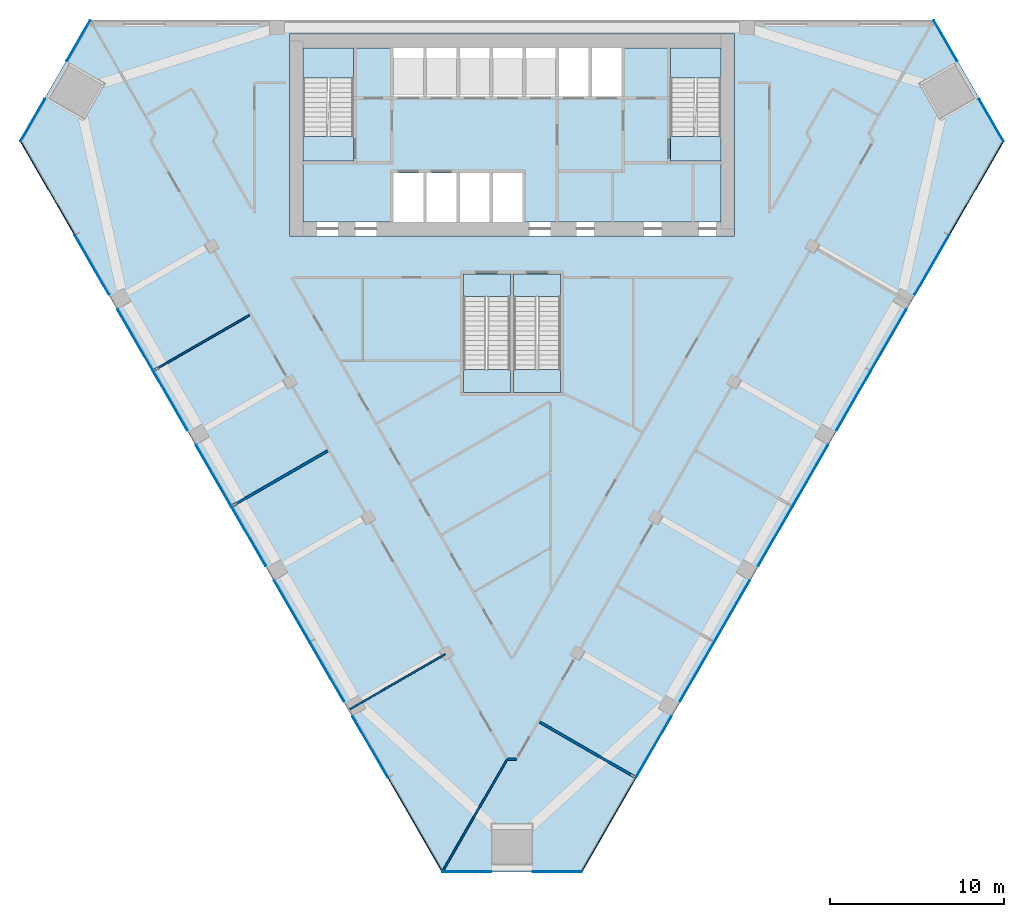
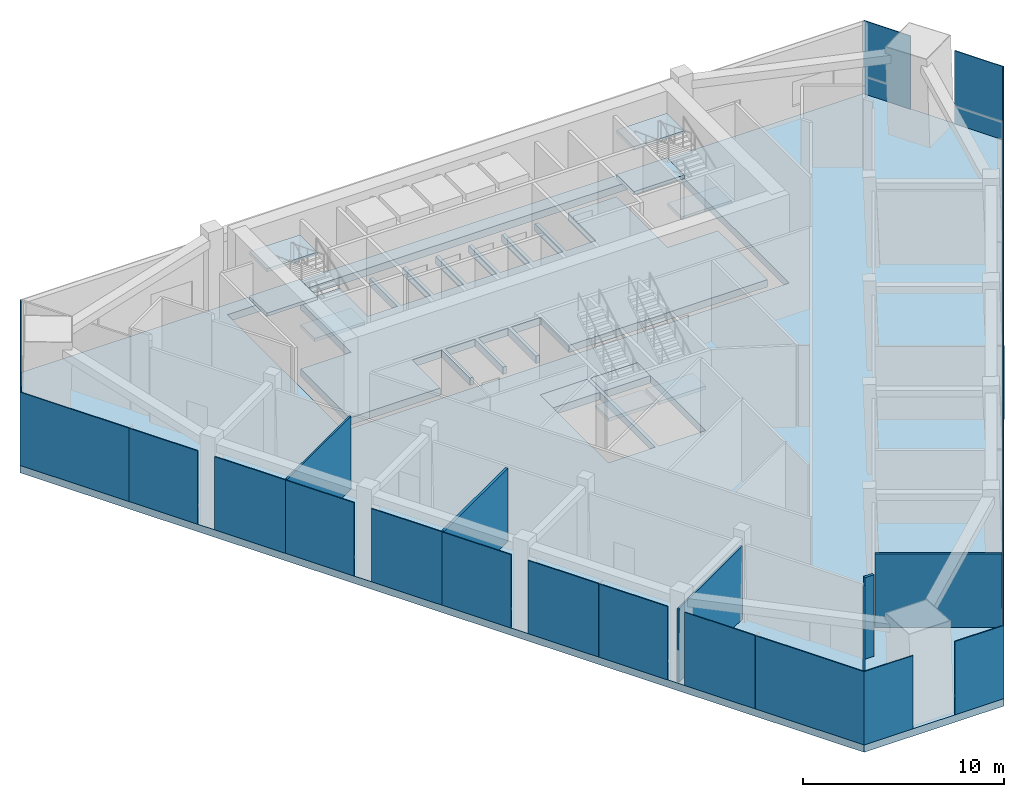
# One storey, part 6 of 12: 26 plates, 12 slabs, 6 walls, 9 elements without a shape of their own.
"""IFC4 building model written with IfcOpenShell, lengths in metres."""

from ifc_helpers import new_model, si_unit, direction, frame, frame_2d, origin, origin_2d, place, context, subcontext, project, spatial, polyline, rectangle, outline, extrude, material, layer, layer_set, type_object, element, aggregate, save


model = new_model("IFC4")

# Units and contexts
model_context = context("Model", 3, precision=1e-05, world=origin(), true_north=direction((0.0, 1.0)))
body_context = subcontext(model_context, "Body", "Model", "MODEL_VIEW")
ifc_project = project(units=[si_unit("LENGTHUNIT", "METRE"), si_unit("AREAUNIT", "SQUARE_METRE"), si_unit("VOLUMEUNIT", "CUBIC_METRE"), si_unit("PLANEANGLEUNIT", "RADIAN"), si_unit("MASSUNIT", "GRAM", prefix="KILO")], contexts=[model_context])

# Site, building, storey
site_placement = place(None, origin())
site = spatial("IfcSite", under=ifc_project, at=site_placement, CompositionType="ELEMENT")
building_placement = place(site_placement, origin())
building = spatial("IfcBuilding", under=site, at=building_placement, Name="Altiplano Prism Tower", CompositionType="ELEMENT")
storey_placement = place(building_placement, frame((0.0, 0.0, 118.800048828125)))
storey = spatial("IfcBuildingStorey", under=building, at=storey_placement, Name="L30", CompositionType="ELEMENT", Elevation=118.800048828125)

# Curtain wall, plates
ifc_material_1 = material(Name="Aluminium and glass", Category="aluminium")
ifc_layer_1 = layer(ifc_material_1, 0.360107421875)
ifc_layer_set_1 = layer_set([ifc_layer_1], Name="Aluminium and glass")
curtain_wall_type = type_object("IfcCurtainWallType", Name="CW3 sky-lobby unitised glazing", PredefinedType="NOTDEFINED", material=ifc_layer_set_1)
curtain_wall_1_placement = place(storey_placement, origin())
curtain_wall_1 = element("IfcCurtainWall", 1, at=curtain_wall_1_placement, inside=storey, type_object=curtain_wall_type, Name="CW3 curtain wall north-west chamfer L30", PredefinedType="NOTDEFINED")
ifc_material_2 = material(Name="Clear glass", Category="glass")
ifc_layer_2 = layer(ifc_material_2, 0.050048828125)
ifc_layer_set_2 = layer_set([ifc_layer_2], Name="Clear glass")
plate_type = type_object("IfcPlateType", Name="CW3 insulated glass unit 50", PredefinedType="CURTAIN_PANEL", material=ifc_layer_set_2)
plate_1_placement = place(storey_placement, frame((60.090576171875, 103.81884765625, 0.0), z_axis=(0.0, 0.0, 1.0), x_axis=(-0.500000043153, -0.86602537887, 0.0)))
plate_1 = element("IfcPlate", 2, at=plate_1_placement, type_object=plate_type, Name="CW3 panel", PredefinedType="CURTAIN_PANEL", context=body_context, shape_type="SweptSolid", body=[
    extrude(rectangle(XDim=2.688720703125, YDim=0.050048828125, at=origin_2d()), origin(), (0.0, 0.0, 1.0), 4.449951171875),
])
plate_2_placement = place(storey_placement, frame((57.451416015625, 99.24755859375, 0.0), z_axis=(0.0, 0.0, 1.0), x_axis=(-0.500000043153, -0.86602537887, 0.0)))
plate_2 = element("IfcPlate", 3, at=plate_2_placement, type_object=plate_type, Name="CW3 panel", PredefinedType="CURTAIN_PANEL", context=body_context, shape_type="SweptSolid", body=[
    extrude(rectangle(XDim=2.80859375, YDim=0.050048828125, at=origin_2d()), origin(), (0.0, 0.0, 1.0), 4.449951171875),
])
aggregate(curtain_wall_1, [plate_1, plate_2])

curtain_wall_2_placement = place(storey_placement, origin())
curtain_wall_2 = element("IfcCurtainWall", 4, at=curtain_wall_2_placement, inside=storey, type_object=curtain_wall_type, Name="CW3 curtain wall south-west face L30", PredefinedType="NOTDEFINED")
plate_3_placement = place(storey_placement, frame((58.310791015625, 95.343017578125, 0.0), z_axis=(0.0, 0.0, 1.0), x_axis=(0.499999994906, -0.866025406725, 0.0)))
plate_3 = element("IfcPlate", 5, at=plate_3_placement, type_object=plate_type, Name="CW3 panel", PredefinedType="CURTAIN_PANEL", context=body_context, shape_type="SweptSolid", body=[
    extrude(rectangle(XDim=6.246337890625, YDim=0.050048828125, at=origin_2d()), origin(), (0.0, 0.0, 1.0), 4.449951171875),
])
plate_4_placement = place(storey_placement, frame((60.86376953125, 90.921142578125, 0.0), z_axis=(0.0, 0.0, 1.0), x_axis=(0.499999994906, -0.866025406725, 0.0)))
plate_4 = element("IfcPlate", 6, at=plate_4_placement, type_object=plate_type, Name="CW3 panel", PredefinedType="CURTAIN_PANEL", context=body_context, shape_type="SweptSolid", body=[
    extrude(rectangle(XDim=3.945556640625, YDim=0.050048828125, at=origin_2d()), origin(), (0.0, 0.0, 1.0), 4.449951171875),
])
plate_5_placement = place(storey_placement, frame((63.356201171875, 86.60400390625, 0.0), z_axis=(0.0, 0.0, 1.0), x_axis=(0.499999994906, -0.866025406725, 0.0)))
plate_5 = element("IfcPlate", 7, at=plate_5_placement, type_object=plate_type, Name="CW3 panel", PredefinedType="CURTAIN_PANEL", context=body_context, shape_type="SweptSolid", body=[
    extrude(rectangle(XDim=4.064208984375, YDim=0.050048828125, at=origin_2d()), origin(), (0.0, 0.0, 1.0), 4.449951171875),
])
plate_6_placement = place(storey_placement, frame((65.36376953125, 83.126953125, 0.0), z_axis=(0.0, 0.0, 1.0), x_axis=(0.499999994906, -0.866025406725, 0.0)))
plate_6 = element("IfcPlate", 8, at=plate_6_placement, type_object=plate_type, Name="CW3 panel", PredefinedType="CURTAIN_PANEL", context=body_context, shape_type="SweptSolid", body=[
    extrude(rectangle(XDim=3.945556640625, YDim=0.050048828125, at=origin_2d()), origin(), (0.0, 0.0, 1.0), 4.449951171875),
])
plate_7_placement = place(storey_placement, frame((67.856201171875, 78.8095703125, 0.0), z_axis=(0.0, 0.0, 1.0), x_axis=(0.499999994906, -0.866025406725, 0.0)))
plate_7 = element("IfcPlate", 9, at=plate_7_placement, type_object=plate_type, Name="CW3 panel", PredefinedType="CURTAIN_PANEL", context=body_context, shape_type="SweptSolid", body=[
    extrude(rectangle(XDim=4.064208984375, YDim=0.050048828125, at=origin_2d()), origin(), (0.0, 0.0, 1.0), 4.449951171875),
])
plate_8_placement = place(storey_placement, frame((69.86376953125, 75.33251953125, 0.0), z_axis=(0.0, 0.0, 1.0), x_axis=(0.499999994906, -0.866025406725, 0.0)))
plate_8 = element("IfcPlate", 10, at=plate_8_placement, type_object=plate_type, Name="CW3 panel", PredefinedType="CURTAIN_PANEL", context=body_context, shape_type="SweptSolid", body=[
    extrude(rectangle(XDim=3.945556640625, YDim=0.050048828125, at=origin_2d()), origin(), (0.0, 0.0, 1.0), 4.449951171875),
])
plate_9_placement = place(storey_placement, frame((72.356201171875, 71.015380859375, 0.0), z_axis=(0.0, 0.0, 1.0), x_axis=(0.499999994906, -0.866025406725, 0.0)))
plate_9 = element("IfcPlate", 11, at=plate_9_placement, type_object=plate_type, Name="CW3 panel", PredefinedType="CURTAIN_PANEL", context=body_context, shape_type="SweptSolid", body=[
    extrude(rectangle(XDim=4.064208984375, YDim=0.050048828125, at=origin_2d()), origin(), (0.0, 0.0, 1.0), 4.449951171875),
])
plate_10_placement = place(storey_placement, frame((74.36376953125, 67.538330078125, 0.0), z_axis=(0.0, 0.0, 1.0), x_axis=(0.499999994906, -0.866025406725, 0.0)))
plate_10 = element("IfcPlate", 12, at=plate_10_placement, type_object=plate_type, Name="CW3 panel", PredefinedType="CURTAIN_PANEL", context=body_context, shape_type="SweptSolid", body=[
    extrude(rectangle(XDim=3.945556640625, YDim=0.050048828125, at=origin_2d()), origin(), (0.0, 0.0, 1.0), 4.449951171875),
])
plate_11_placement = place(storey_placement, frame((76.856201171875, 63.22119140625, 0.0), z_axis=(0.0, 0.0, 1.0), x_axis=(0.499999994906, -0.866025406725, 0.0)))
plate_11 = element("IfcPlate", 13, at=plate_11_placement, type_object=plate_type, Name="CW3 panel", PredefinedType="CURTAIN_PANEL", context=body_context, shape_type="SweptSolid", body=[
    extrude(rectangle(XDim=4.064208984375, YDim=0.050048828125, at=origin_2d()), origin(), (0.0, 0.0, 1.0), 4.449951171875),
])
plate_12_placement = place(storey_placement, frame((79.43896484375, 58.747802734375, 0.0), z_axis=(0.0, 0.0, 1.0), x_axis=(0.499999994906, -0.866025406725, 0.0)))
plate_12 = element("IfcPlate", 14, at=plate_12_placement, type_object=plate_type, Name="CW3 panel", PredefinedType="CURTAIN_PANEL", context=body_context, shape_type="SweptSolid", body=[
    extrude(rectangle(XDim=6.246337890625, YDim=0.050048828125, at=origin_2d()), origin(), (0.0, 0.0, 1.0), 4.449951171875),
])
aggregate(curtain_wall_2, [plate_3, plate_4, plate_5, plate_6, plate_7, plate_8, plate_9, plate_10, plate_11, plate_12])

curtain_wall_3_placement = place(storey_placement, origin())
curtain_wall_3 = element("IfcCurtainWall", 15, at=curtain_wall_3_placement, inside=storey, type_object=curtain_wall_type, Name="CW3 curtain wall south chamfer L30", PredefinedType="NOTDEFINED")
plate_13_placement = place(storey_placement, frame((82.390625, 56.05126953125, 0.0), z_axis=(0.0, 0.0, 1.0), x_axis=(1.0, 0.0, 0.0)))
plate_13 = element("IfcPlate", 16, at=plate_13_placement, type_object=plate_type, Name="CW3 panel", PredefinedType="CURTAIN_PANEL", context=body_context, shape_type="SweptSolid", body=[
    extrude(rectangle(XDim=2.80859375, YDim=0.050048828125, at=origin_2d()), origin(), (0.0, 0.0, 1.0), 4.449951171875),
])
plate_14_placement = place(storey_placement, frame((87.609375, 56.05126953125, 0.0), z_axis=(0.0, 0.0, 1.0), x_axis=(1.0, 0.0, 0.0)))
plate_14 = element("IfcPlate", 17, at=plate_14_placement, type_object=plate_type, Name="CW3 panel", PredefinedType="CURTAIN_PANEL", context=body_context, shape_type="SweptSolid", body=[
    extrude(rectangle(XDim=2.80859375, YDim=0.050048828125, at=origin_2d()), origin(), (0.0, 0.0, 1.0), 4.449951171875),
])
aggregate(curtain_wall_3, [plate_13, plate_14])

curtain_wall_4_placement = place(storey_placement, origin())
curtain_wall_4 = element("IfcCurtainWall", 18, at=curtain_wall_4_placement, inside=storey, type_object=curtain_wall_type, Name="CW3 curtain wall south-east face L30", PredefinedType="NOTDEFINED")
plate_15_placement = place(storey_placement, frame((90.56103515625, 58.747802734375, 0.0), z_axis=(0.0, 0.0, 1.0), x_axis=(0.499999994906, 0.866025406725, 0.0)))
plate_15 = element("IfcPlate", 19, at=plate_15_placement, type_object=plate_type, Name="CW3 panel", PredefinedType="CURTAIN_PANEL", context=body_context, shape_type="SweptSolid", body=[
    extrude(rectangle(XDim=6.246337890625, YDim=0.050048828125, at=origin_2d()), origin(), (0.0, 0.0, 1.0), 4.449951171875),
])
plate_16_placement = place(storey_placement, frame((93.143798828125, 63.22119140625, 0.0), z_axis=(0.0, 0.0, 1.0), x_axis=(0.499999994906, 0.866025406725, 0.0)))
plate_16 = element("IfcPlate", 20, at=plate_16_placement, type_object=plate_type, Name="CW3 panel", PredefinedType="CURTAIN_PANEL", context=body_context, shape_type="SweptSolid", body=[
    extrude(rectangle(XDim=4.064208984375, YDim=0.050048828125, at=origin_2d()), origin(), (0.0, 0.0, 1.0), 4.449951171875),
])
plate_17_placement = place(storey_placement, frame((95.63623046875, 67.538330078125, 0.0), z_axis=(0.0, 0.0, 1.0), x_axis=(0.499999994906, 0.866025406725, 0.0)))
plate_17 = element("IfcPlate", 21, at=plate_17_placement, type_object=plate_type, Name="CW3 panel", PredefinedType="CURTAIN_PANEL", context=body_context, shape_type="SweptSolid", body=[
    extrude(rectangle(XDim=3.945556640625, YDim=0.050048828125, at=origin_2d()), origin(), (0.0, 0.0, 1.0), 4.449951171875),
])
plate_18_placement = place(storey_placement, frame((97.643798828125, 71.015380859375, 0.0), z_axis=(0.0, 0.0, 1.0), x_axis=(0.499999994906, 0.866025406725, 0.0)))
plate_18 = element("IfcPlate", 22, at=plate_18_placement, type_object=plate_type, Name="CW3 panel", PredefinedType="CURTAIN_PANEL", context=body_context, shape_type="SweptSolid", body=[
    extrude(rectangle(XDim=4.064208984375, YDim=0.050048828125, at=origin_2d()), origin(), (0.0, 0.0, 1.0), 4.449951171875),
])
plate_19_placement = place(storey_placement, frame((100.13623046875, 75.33251953125, 0.0), z_axis=(0.0, 0.0, 1.0), x_axis=(0.499999994906, 0.866025406725, 0.0)))
plate_19 = element("IfcPlate", 23, at=plate_19_placement, type_object=plate_type, Name="CW3 panel", PredefinedType="CURTAIN_PANEL", context=body_context, shape_type="SweptSolid", body=[
    extrude(rectangle(XDim=3.945556640625, YDim=0.050048828125, at=origin_2d()), origin(), (0.0, 0.0, 1.0), 4.449951171875),
])
plate_20_placement = place(storey_placement, frame((102.143798828125, 78.8095703125, 0.0), z_axis=(0.0, 0.0, 1.0), x_axis=(0.499999994906, 0.866025406725, 0.0)))
plate_20 = element("IfcPlate", 24, at=plate_20_placement, type_object=plate_type, Name="CW3 panel", PredefinedType="CURTAIN_PANEL", context=body_context, shape_type="SweptSolid", body=[
    extrude(rectangle(XDim=4.064208984375, YDim=0.050048828125, at=origin_2d()), origin(), (0.0, 0.0, 1.0), 4.449951171875),
])
plate_21_placement = place(storey_placement, frame((104.63623046875, 83.126953125, 0.0), z_axis=(0.0, 0.0, 1.0), x_axis=(0.499999994906, 0.866025406725, 0.0)))
plate_21 = element("IfcPlate", 25, at=plate_21_placement, type_object=plate_type, Name="CW3 panel", PredefinedType="CURTAIN_PANEL", context=body_context, shape_type="SweptSolid", body=[
    extrude(rectangle(XDim=3.945556640625, YDim=0.050048828125, at=origin_2d()), origin(), (0.0, 0.0, 1.0), 4.449951171875),
])
plate_22_placement = place(storey_placement, frame((106.643798828125, 86.60400390625, 0.0), z_axis=(0.0, 0.0, 1.0), x_axis=(0.499999994906, 0.866025406725, 0.0)))
plate_22 = element("IfcPlate", 26, at=plate_22_placement, type_object=plate_type, Name="CW3 panel", PredefinedType="CURTAIN_PANEL", context=body_context, shape_type="SweptSolid", body=[
    extrude(rectangle(XDim=4.064208984375, YDim=0.050048828125, at=origin_2d()), origin(), (0.0, 0.0, 1.0), 4.449951171875),
])
plate_23_placement = place(storey_placement, frame((109.13623046875, 90.921142578125, 0.0), z_axis=(0.0, 0.0, 1.0), x_axis=(0.499999994906, 0.866025406725, 0.0)))
plate_23 = element("IfcPlate", 27, at=plate_23_placement, type_object=plate_type, Name="CW3 panel", PredefinedType="CURTAIN_PANEL", context=body_context, shape_type="SweptSolid", body=[
    extrude(rectangle(XDim=3.945556640625, YDim=0.050048828125, at=origin_2d()), origin(), (0.0, 0.0, 1.0), 4.449951171875),
])
plate_24_placement = place(storey_placement, frame((111.689208984375, 95.343017578125, 0.0), z_axis=(0.0, 0.0, 1.0), x_axis=(0.499999994906, 0.866025406725, 0.0)))
plate_24 = element("IfcPlate", 28, at=plate_24_placement, type_object=plate_type, Name="CW3 panel", PredefinedType="CURTAIN_PANEL", context=body_context, shape_type="SweptSolid", body=[
    extrude(rectangle(XDim=6.246337890625, YDim=0.050048828125, at=origin_2d()), origin(), (0.0, 0.0, 1.0), 4.449951171875),
])
aggregate(curtain_wall_4, [plate_15, plate_16, plate_17, plate_18, plate_19, plate_20, plate_21, plate_22, plate_23, plate_24])

curtain_wall_5_placement = place(storey_placement, origin())
curtain_wall_5 = element("IfcCurtainWall", 29, at=curtain_wall_5_placement, inside=storey, type_object=curtain_wall_type, Name="CW3 curtain wall north-east chamfer L30", PredefinedType="NOTDEFINED")
plate_25_placement = place(storey_placement, frame((112.548583984375, 99.24755859375, 0.0), z_axis=(0.0, 0.0, 1.0), x_axis=(-0.500000043153, 0.86602537887, 0.0)))
plate_25 = element("IfcPlate", 30, at=plate_25_placement, type_object=plate_type, Name="CW3 panel", PredefinedType="CURTAIN_PANEL", context=body_context, shape_type="SweptSolid", body=[
    extrude(rectangle(XDim=2.80859375, YDim=0.050048828125, at=origin_2d()), origin(), (0.0, 0.0, 1.0), 4.449951171875),
])
plate_26_placement = place(storey_placement, frame((109.909423828125, 103.81884765625, 0.0), z_axis=(0.0, 0.0, 1.0), x_axis=(-0.500000043153, 0.86602537887, 0.0)))
plate_26 = element("IfcPlate", 31, at=plate_26_placement, type_object=plate_type, Name="CW3 panel", PredefinedType="CURTAIN_PANEL", context=body_context, shape_type="SweptSolid", body=[
    extrude(rectangle(XDim=2.688720703125, YDim=0.050048828125, at=origin_2d()), origin(), (0.0, 0.0, 1.0), 4.449951171875),
])
aggregate(curtain_wall_5, [plate_25, plate_26])

# Slabs
ifc_material_3 = material(Name="Concrete C40/50", Category="concrete")
ifc_layer_3 = layer(ifc_material_3, 0.449951171875)
ifc_layer_set_3 = layer_set([ifc_layer_3], Name="Concrete C40/50")
slab_type_1 = type_object("IfcSlabType", Name="Core floor slab 450", PredefinedType="FLOOR", material=ifc_layer_set_3)
slab_1_placement = place(storey_placement, frame((0.0, 0.0, -0.449951171875)))
element("IfcSlab", 32, at=slab_1_placement, inside=storey, type_object=slab_type_1, Name="Core floor slab L30", PredefinedType="FLOOR", context=body_context, shape_type="SweptSolid", body=[
    extrude(outline(polyline([(97.0, 98.31005859375), (94.10009765625, 98.31005859375), (94.10009765625, 103.39990234375), (91.300048828125, 103.39990234375), (91.300048828125, 100.60009765625), (89.60009765625, 100.60009765625), (89.60009765625, 103.39990234375), (89.39990234375, 103.39990234375), (89.39990234375, 100.60009765625), (87.699951171875, 100.60009765625), (87.699951171875, 103.39990234375), (87.5, 103.39990234375), (87.5, 100.60009765625), (85.800048828125, 100.60009765625), (85.800048828125, 103.39990234375), (85.60009765625, 103.39990234375), (85.60009765625, 100.60009765625), (83.89990234375, 100.60009765625), (83.89990234375, 103.39990234375), (83.699951171875, 103.39990234375), (83.699951171875, 100.60009765625), (82.0, 100.60009765625), (82.0, 103.39990234375), (81.800048828125, 103.39990234375), (81.800048828125, 100.60009765625), (80.10009765625, 100.60009765625), (80.10009765625, 103.39990234375), (79.89990234375, 103.39990234375), (79.89990234375, 100.60009765625), (78.199951171875, 100.60009765625), (78.199951171875, 103.39990234375), (75.89990234375, 103.39990234375), (75.89990234375, 98.31005859375), (73.0, 98.31005859375), (73.0, 93.39990234375), (78.199951171875, 93.39990234375), (78.199951171875, 96.199951171875), (79.89990234375, 96.199951171875), (79.89990234375, 93.39990234375), (80.10009765625, 93.39990234375), (80.10009765625, 96.199951171875), (81.800048828125, 96.199951171875), (81.800048828125, 93.39990234375), (82.0, 93.39990234375), (82.0, 96.199951171875), (83.699951171875, 96.199951171875), (83.699951171875, 93.39990234375), (83.89990234375, 93.39990234375), (83.89990234375, 96.199951171875), (85.60009765625, 96.199951171875), (85.60009765625, 93.39990234375), (97.0, 93.39990234375), (97.0, 98.31005859375)])), origin(), (0.0, 0.0, 1.0), 0.449951171875),
])
slab_2_placement = place(storey_placement, frame((0.0, 0.0, -0.449951171875)))
element("IfcSlab", 33, at=slab_2_placement, inside=storey, type_object=slab_type_1, Name="Stair 3A landing slab L30", PredefinedType="FLOOR", context=body_context, shape_type="SweptSolid", body=[
    extrude(outline(polyline([(82.199951171875, 89.096923828125), (84.89990234375, 89.096923828125), (84.89990234375, 90.39990234375), (82.199951171875, 90.39990234375), (82.199951171875, 89.096923828125)])), origin(), (0.0, 0.0, 1.0), 0.449951171875),
])
slab_3_placement = place(storey_placement, frame((0.0, 0.0, -0.449951171875)))
element("IfcSlab", 34, at=slab_3_placement, inside=storey, type_object=slab_type_1, Name="Stair 3B landing slab L30", PredefinedType="FLOOR", context=body_context, shape_type="SweptSolid", body=[
    extrude(outline(polyline([(85.10009765625, 89.096923828125), (87.800048828125, 89.096923828125), (87.800048828125, 90.39990234375), (85.10009765625, 90.39990234375), (85.10009765625, 89.096923828125)])), origin(), (0.0, 0.0, 1.0), 0.449951171875),
])
ifc_layer_4 = layer(ifc_material_3, 0.449951171875)
ifc_layer_set_4 = layer_set([ifc_layer_4], Name="Concrete C40/50")
slab_type_2 = type_object("IfcSlabType", Name="Post-tensioned flat slab 450", PredefinedType="FLOOR", material=ifc_layer_set_4)
slab_4_placement = place(storey_placement, frame((0.0, 0.0, -0.449951171875)))
element("IfcSlab", 35, at=slab_4_placement, inside=storey, type_object=slab_type_2, Name="Floor slab L30", PredefinedType="FLOOR", context=body_context, shape_type="SweptSolid", body=[
    extrude(outline(polyline([(80.9814453125, 56.0263671875), (56.72509765625, 98.03955078125), (60.74365234375, 105.0), (109.25634765625, 105.0), (113.27490234375, 98.03955078125), (89.0185546875, 56.0263671875), (80.9814453125, 56.0263671875)]), holes=[polyline([(72.199951171875, 104.199951171875), (72.199951171875, 92.60009765625), (97.800048828125, 92.60009765625), (97.800048828125, 104.199951171875), (72.199951171875, 104.199951171875)]), polyline([(84.89990234375, 90.39990234375), (82.199951171875, 90.39990234375), (82.199951171875, 83.60009765625), (84.89990234375, 83.60009765625), (84.89990234375, 90.39990234375)]), polyline([(87.800048828125, 83.60009765625), (87.800048828125, 90.39990234375), (85.10009765625, 90.39990234375), (85.10009765625, 83.60009765625), (87.800048828125, 83.60009765625)])]), origin(), (0.0, 0.0, 1.0), 0.449951171875),
])

# Stair, slabs
stair_type_1 = type_object("IfcStairType", Name="Exit stair 1400", PredefinedType="HALF_TURN_STAIR", material=ifc_material_3)
stair_1_placement = place(storey_placement, origin())
stair_1 = element("IfcStair", 36, at=stair_1_placement, inside=storey, type_object=stair_type_1, Name="L30 Exit Stair 1", PredefinedType="HALF_TURN_STAIR")
ifc_layer_5 = layer(ifc_material_3, 0.199951171875)
ifc_layer_set_5 = layer_set([ifc_layer_5], Name="Concrete C40/50")
slab_type_3 = type_object("IfcSlabType", Name="Stair landing 200", PredefinedType="LANDING", material=ifc_layer_set_5)
slab_5_placement = place(storey_placement, frame((0.0, 0.0, 1.14990234375)))
slab_5 = element("IfcSlab", 37, at=slab_5_placement, type_object=slab_type_3, Name="ST1 landing 1", PredefinedType="LANDING", context=body_context, shape_type="SweptSolid", body=[
    extrude(outline(polyline([(75.89990234375, 101.656982421875), (75.89990234375, 103.39990234375), (73.0, 103.39990234375), (73.0, 101.656982421875), (75.89990234375, 101.656982421875)])), origin(), (0.0, 0.0, 1.0), 0.199951171875),
])
slab_6_placement = place(storey_placement, frame((0.0, 0.0, 2.5)))
slab_6 = element("IfcSlab", 38, at=slab_6_placement, type_object=slab_type_3, Name="ST1 landing 2", PredefinedType="LANDING", context=body_context, shape_type="SweptSolid", body=[
    extrude(outline(polyline([(75.89990234375, 96.89990234375), (75.89990234375, 98.302978515625), (73.0, 98.302978515625), (73.0, 96.89990234375), (75.89990234375, 96.89990234375)])), origin(), (0.0, 0.0, 1.0), 0.199951171875),
])
slab_7_placement = place(storey_placement, frame((0.0, 0.0, 3.849853515625)))
slab_7 = element("IfcSlab", 39, at=slab_7_placement, type_object=slab_type_3, Name="ST1 landing 3", PredefinedType="LANDING", context=body_context, shape_type="SweptSolid", body=[
    extrude(outline(polyline([(75.89990234375, 101.656982421875), (75.89990234375, 103.39990234375), (73.0, 103.39990234375), (73.0, 101.656982421875), (75.89990234375, 101.656982421875)])), origin(), (0.0, 0.0, 1.0), 0.2001953125),
])
aggregate(stair_1, [slab_5, slab_6, slab_7])

stair_2_placement = place(storey_placement, origin())
stair_2 = element("IfcStair", 40, at=stair_2_placement, inside=storey, type_object=stair_type_1, Name="L30 Exit Stair 2", PredefinedType="HALF_TURN_STAIR")
slab_8_placement = place(storey_placement, frame((0.0, 0.0, 1.14990234375)))
slab_8 = element("IfcSlab", 41, at=slab_8_placement, type_object=slab_type_3, Name="ST2 landing 1", PredefinedType="LANDING", context=body_context, shape_type="SweptSolid", body=[
    extrude(outline(polyline([(97.0, 101.656982421875), (97.0, 103.39990234375), (94.10009765625, 103.39990234375), (94.10009765625, 101.656982421875), (97.0, 101.656982421875)])), origin(), (0.0, 0.0, 1.0), 0.199951171875),
])
slab_9_placement = place(storey_placement, frame((0.0, 0.0, 2.5)))
slab_9 = element("IfcSlab", 42, at=slab_9_placement, type_object=slab_type_3, Name="ST2 landing 2", PredefinedType="LANDING", context=body_context, shape_type="SweptSolid", body=[
    extrude(outline(polyline([(97.0, 96.89990234375), (97.0, 98.302978515625), (94.10009765625, 98.302978515625), (94.10009765625, 96.89990234375), (97.0, 96.89990234375)])), origin(), (0.0, 0.0, 1.0), 0.199951171875),
])
slab_10_placement = place(storey_placement, frame((0.0, 0.0, 3.849853515625)))
slab_10 = element("IfcSlab", 43, at=slab_10_placement, type_object=slab_type_3, Name="ST2 landing 3", PredefinedType="LANDING", context=body_context, shape_type="SweptSolid", body=[
    extrude(outline(polyline([(97.0, 101.656982421875), (97.0, 103.39990234375), (94.10009765625, 103.39990234375), (94.10009765625, 101.656982421875), (97.0, 101.656982421875)])), origin(), (0.0, 0.0, 1.0), 0.2001953125),
])
aggregate(stair_2, [slab_8, slab_9, slab_10])

# Stair, slab
stair_type_2 = type_object("IfcStairType", Name="Exit stair 1300", PredefinedType="HALF_TURN_STAIR", material=ifc_material_3)
stair_3_placement = place(storey_placement, origin())
stair_3 = element("IfcStair", 44, at=stair_3_placement, inside=storey, type_object=stair_type_2, Name="L30 Exit Stair 3A", PredefinedType="HALF_TURN_STAIR")
slab_11_placement = place(storey_placement, frame((0.0, 0.0, 2.5)))
slab_11 = element("IfcSlab", 45, at=slab_11_placement, type_object=slab_type_3, Name="ST3A landing 1", PredefinedType="LANDING", context=body_context, shape_type="SweptSolid", body=[
    extrude(outline(polyline([(82.199951171875, 84.903076171875), (82.199951171875, 83.60009765625), (84.89990234375, 83.60009765625), (84.89990234375, 84.903076171875), (82.199951171875, 84.903076171875)])), origin(), (0.0, 0.0, 1.0), 0.199951171875),
])
aggregate(stair_3, [slab_11])

stair_4_placement = place(storey_placement, origin())
stair_4 = element("IfcStair", 46, at=stair_4_placement, inside=storey, type_object=stair_type_2, Name="L30 Exit Stair 3B", PredefinedType="HALF_TURN_STAIR")
slab_12_placement = place(storey_placement, frame((0.0, 0.0, 2.5)))
slab_12 = element("IfcSlab", 47, at=slab_12_placement, type_object=slab_type_3, Name="ST3B landing 1", PredefinedType="LANDING", context=body_context, shape_type="SweptSolid", body=[
    extrude(outline(polyline([(85.10009765625, 84.903076171875), (85.10009765625, 83.60009765625), (87.800048828125, 83.60009765625), (87.800048828125, 84.903076171875), (85.10009765625, 84.903076171875)])), origin(), (0.0, 0.0, 1.0), 0.199951171875),
])
aggregate(stair_4, [slab_12])

# Walls
ifc_material_4 = material(Name="Plasterboard on steel stud", Category="steel")
ifc_layer_6 = layer(ifc_material_4, 0.10009765625)
ifc_layer_set_6 = layer_set([ifc_layer_6], Name="Plasterboard on steel stud")
wall_type_1 = type_object("IfcWallType", Name="Partition 100 wet", PredefinedType="PARTITIONING", material=ifc_layer_set_6)
for number, where, z_axis, x_axis, name in (
    (48, (64.439697265625, 84.877197265625, 0.0), (0.0, 0.0, 1.0), (0.866042250622, 0.499970819286, 0.0), "Partition P03 L30 032"),
    (49, (75.689697265625, 65.3916015625, 0.0), (0.0, 0.0, 1.0), (0.866025537322, 0.499999768706, 0.0), "Partition P03 L30 035"),
):
    element("IfcWall", number, at=place(storey_placement, frame(where, z_axis=z_axis, x_axis=x_axis)), inside=storey, type_object=wall_type_1, Name=name, PredefinedType="PARTITIONING", context=body_context, shape_type="SweptSolid", body=[
        extrude(rectangle(XDim=6.3251953125, YDim=0.10009765625, at=frame_2d((3.16259765625, 0.0))), origin(), (0.0, 0.0, 1.0), 4.449951171875),
    ])
wall_1_placement = place(storey_placement, frame((81.0302734375, 56.111083984375, 0.0), z_axis=(0.0, 0.0, 1.0), x_axis=(0.499999183719, 0.866025875064, 0.0)))
element("IfcWall", 50, at=wall_1_placement, inside=storey, type_object=wall_type_1, Name="Partition P03 L30 036", PredefinedType="PARTITIONING", context=body_context, shape_type="SweptSolid", body=[
    extrude(rectangle(XDim=7.40771484375, YDim=0.10009765625, at=frame_2d((3.703857421875, 0.0))), origin(), (0.0, 0.0, 1.0), 4.449951171875),
])
ifc_layer_7 = layer(ifc_material_4, 0.14990234375)
ifc_layer_set_7 = layer_set([ifc_layer_7], Name="Plasterboard on steel stud")
wall_type_2 = type_object("IfcWallType", Name="Partition 150 corridor", PredefinedType="PARTITIONING", material=ifc_layer_set_7)
wall_2_placement = place(storey_placement, frame((84.734130859375, 62.5263671875, 0.0), z_axis=(0.0, 0.0, 1.0), x_axis=(1.0, 0.0, 0.0)))
element("IfcWall", 51, at=wall_2_placement, inside=storey, type_object=wall_type_2, Name="Partition P06 L30 005", PredefinedType="PARTITIONING", context=body_context, shape_type="SweptSolid", body=[
    extrude(rectangle(XDim=0.53173828125, YDim=0.14990234375, at=frame_2d((0.265869140625, 0.0))), origin(), (0.0, 0.0, 1.0), 4.949951171875),
])
ifc_layer_8 = layer(ifc_material_4, 0.14990234375)
ifc_layer_set_8 = layer_set([ifc_layer_8], Name="Plasterboard on steel stud")
wall_type_3 = type_object("IfcWallType", Name="Partition 150 party", PredefinedType="PARTITIONING", material=ifc_layer_set_8)
for number, where, z_axis, x_axis, name in (
    (52, (68.939697265625, 77.0830078125, 0.0), (0.0, 0.0, 1.0), (0.866042250622, 0.499970819286, 0.0), "Partition P01 L30 034"),
    (53, (92.060302734375, 61.494384765625, 0.0), (0.0, 0.0, 1.0), (-0.866025537322, 0.499999768706, 0.0), "Partition P01 L30 037"),
):
    element("IfcWall", number, at=place(storey_placement, frame(where, z_axis=z_axis, x_axis=x_axis)), inside=storey, type_object=wall_type_3, Name=name, PredefinedType="PARTITIONING", context=body_context, shape_type="SweptSolid", body=[
        extrude(rectangle(XDim=6.3251953125, YDim=0.14990234375, at=frame_2d((3.16259765625, 0.0))), origin(), (0.0, 0.0, 1.0), 4.449951171875),
    ])

save(model, "model.ifc")
